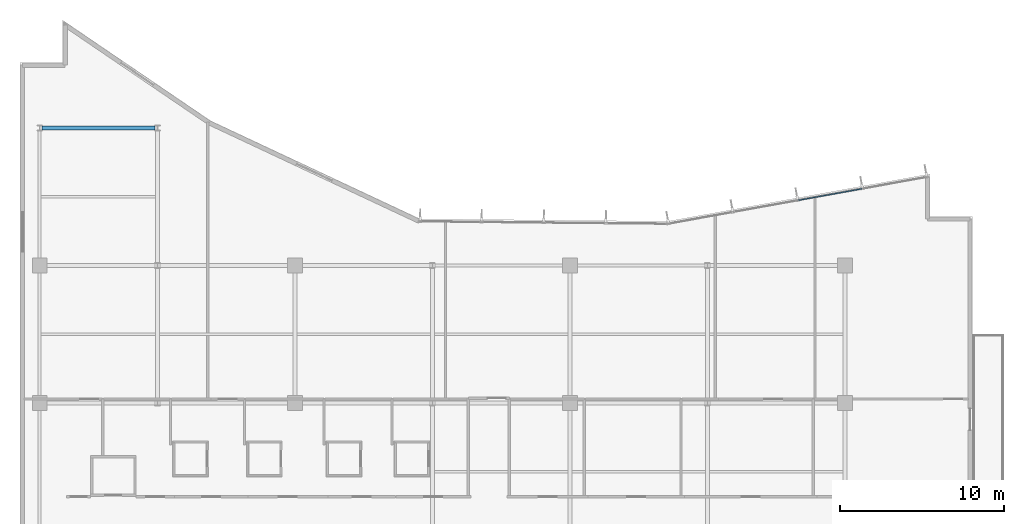
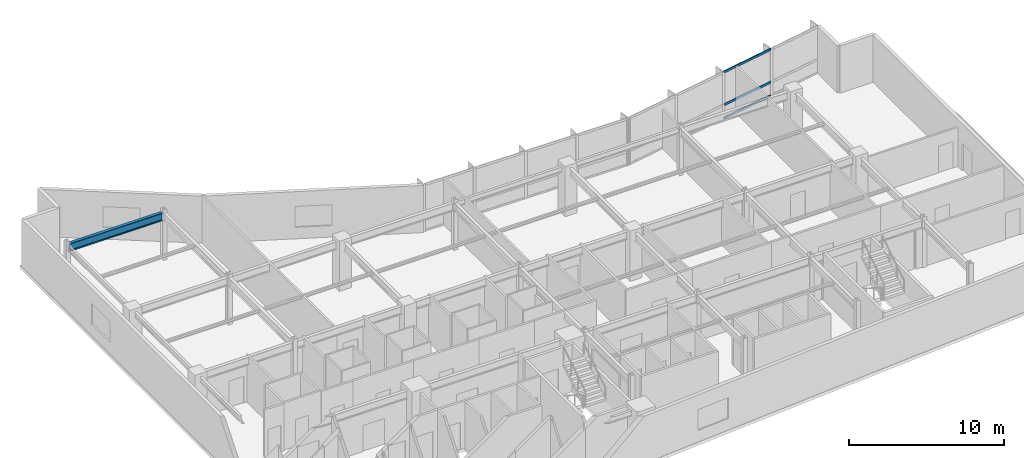
# One storey, part 7 of 18: 3 members, 1 beam, 1 element without a shape of its own.
"""IFC4 building model written with IfcOpenShell, lengths in metres."""

import ifcopenshell
import ifcopenshell.guid

model = None  # the IFC model being written
_history = None  # IfcOwnerHistory: only IFC2X3 demands one
_inside = {}  # id of a spatial element -> (the spatial element, [elements in it])
_under = {}  # id of a project, library or spatial element -> (it, [spatial elements below it])
_declared = {}  # id of a project -> (the project, [libraries it declares])
_typed = {}  # id of a type object -> (the type object, [elements of that type])
_made_of = {}  # id of a material, layer set ... -> (it, [elements and type objects made of it])


def new_model(schema):
    """Start an empty IFC model of exactly this schema.

    Asked for "IFC4X3", IfcOpenShell would pick the latest addendum, in which some entities
    have other attributes; the version numbers below select the first issue.
    IFC2X3 requires an IfcOwnerHistory on every rooted entity: one is made here for all.
    """
    global model, _history
    if schema == "IFC4X3":
        model = ifcopenshell.file(schema_version=(4, 3, 0, 0))
    else:
        model = ifcopenshell.file(schema=schema)
    _inside.clear()
    _under.clear()
    _declared.clear()
    _typed.clear()
    _made_of.clear()
    _history = None
    if model.schema == "IFC2X3":
        org = make("IfcOrganization", Name="unknown")
        user = make(
            "IfcPersonAndOrganization",
            ThePerson=make("IfcPerson", FamilyName="unknown"),
            TheOrganization=org,
        )
        app = make(
            "IfcApplication",
            ApplicationDeveloper=org,
            Version="unknown",
            ApplicationFullName="unknown",
            ApplicationIdentifier="unknown",
        )
        _history = make(
            "IfcOwnerHistory",
            OwningUser=user,
            OwningApplication=app,
            ChangeAction="ADDED",
            CreationDate=0,
        )
    return model


def make(cls, **values):
    """One entity of the class cls with the attributes given. An attribute that is None is left unset."""
    return model.create_entity(
        cls, **{name: value for name, value in values.items() if value is not None}
    )


def rooted(cls, **values):
    """An entity with a GlobalId (a new one), such as an element, a storey or a relation."""
    return make(cls, GlobalId=ifcopenshell.guid.new(), OwnerHistory=_history, **values)


def si_unit(unit_type, name, prefix=None):
    """IfcSIUnit, for example si_unit("LENGTHUNIT", "METRE", prefix="MILLI")."""
    return make("IfcSIUnit", UnitType=unit_type, Prefix=prefix, Name=name)


def assignment(units):
    """IfcUnitAssignment: the units of a project."""
    return None if units is None else make("IfcUnitAssignment", Units=units)


def point(xyz):
    """IfcCartesianPoint."""
    return None if xyz is None else make("IfcCartesianPoint", Coordinates=xyz)


def direction(xyz):
    """IfcDirection."""
    return None if xyz is None else make("IfcDirection", DirectionRatios=xyz)


def frame(location, z_axis=None, x_axis=None):
    """IfcAxis2Placement3D, a coordinate frame: its origin and axes. An axis left out is left unset."""
    return make(
        "IfcAxis2Placement3D",
        Location=point(location),
        Axis=direction(z_axis),
        RefDirection=direction(x_axis),
    )


def frame_2d(location, x_axis=None):
    """IfcAxis2Placement2D, a coordinate frame in the plane: its origin and x axis."""
    return make(
        "IfcAxis2Placement2D", Location=point(location), RefDirection=direction(x_axis)
    )


def origin():
    """The frame at (0, 0, 0) with its axes left unset."""
    return frame((0.0, 0.0, 0.0))


def origin_2d():
    """The frame at (0, 0) in the plane with its x axis left unset."""
    return frame_2d((0.0, 0.0))


def place(relative_to, where):
    """IfcLocalPlacement: puts the frame where relative to a parent placement (None: the world)."""
    return make(
        "IfcLocalPlacement", PlacementRelTo=relative_to, RelativePlacement=where
    )


def context(
    kind, dimensions, precision=None, world=None, true_north=None, identifier=None
):
    """IfcGeometricRepresentationContext, for example the 3D "Model" context."""
    return make(
        "IfcGeometricRepresentationContext",
        ContextIdentifier=identifier,
        ContextType=kind,
        CoordinateSpaceDimension=dimensions,
        Precision=precision,
        WorldCoordinateSystem=world,
        TrueNorth=true_north,
    )


def subcontext(parent, identifier, kind, view, scale=None):
    """IfcGeometricRepresentationSubContext, for example "Body" below "Model"."""
    return make(
        "IfcGeometricRepresentationSubContext",
        ContextIdentifier=identifier,
        ContextType=kind,
        ParentContext=parent,
        TargetScale=scale,
        TargetView=view,
    )


def project(units=None, contexts=None):
    """IfcProject with its units and contexts."""
    return rooted(
        "IfcProject",
        Name="project",
        RepresentationContexts=contexts,
        UnitsInContext=assignment(units),
    )


def spatial(cls, under=None, at=None, **own):
    """A site, building, storey or space (cls), placed at a placement, below another one or the project."""
    s = rooted(cls, ObjectPlacement=at, **own)
    if under is not None:
        _under.setdefault(under.id(), (under, []))[1].append(s)
    return s


def profile(cls, at=None, kind="AREA", **sizes):
    """A parametric profile (cls). Its sizes go by their IFC names, for example OverallWidth=200.0."""
    return make(cls, ProfileType=kind, Position=at, **sizes)


def hollow_rectangle(**sizes):
    """IfcRectangleHollowProfileDef."""
    return profile("IfcRectangleHollowProfileDef", **sizes)


def i_section(**sizes):
    """IfcIShapeProfileDef."""
    return profile("IfcIShapeProfileDef", **sizes)


def extrude(swept, where, along, depth):
    """IfcExtrudedAreaSolid: the profile swept, set in the frame where, extruded along a direction by depth."""
    return make(
        "IfcExtrudedAreaSolid",
        SweptArea=swept,
        Position=where,
        ExtrudedDirection=direction(along),
        Depth=depth,
    )


def shape(context_of_items, identifier, shape_type, items):
    """IfcShapeRepresentation: the items that make up one representation, for example the "Body"."""
    return make(
        "IfcShapeRepresentation",
        ContextOfItems=context_of_items,
        RepresentationIdentifier=identifier,
        RepresentationType=shape_type,
        Items=items,
    )


def material(Name=None, Category=None):
    """IfcMaterial."""
    return make("IfcMaterial", Name=Name, Category=Category)


def layer(
    of_material, thickness, ventilated=None, Name=None, Category=None, Priority=None
):
    """IfcMaterialLayer: one layer of a wall or slab, of a material (None: an air gap)."""
    return make(
        "IfcMaterialLayer",
        Material=of_material,
        LayerThickness=thickness,
        IsVentilated=ventilated,
        Name=Name,
        Category=Category,
        Priority=Priority,
    )


def layer_set(layers, Name=None):
    """IfcMaterialLayerSet."""
    return make("IfcMaterialLayerSet", MaterialLayers=layers, LayerSetName=Name)


def material_profile(
    of_material, cross_section, Name=None, Category=None, Priority=None
):
    """IfcMaterialProfile: a cross section and its material."""
    return make(
        "IfcMaterialProfile",
        Name=Name,
        Material=of_material,
        Profile=cross_section,
        Priority=Priority,
        Category=Category,
    )


def profile_set(profiles, Name=None, composite=None):
    """IfcMaterialProfileSet."""
    return make(
        "IfcMaterialProfileSet",
        Name=Name,
        MaterialProfiles=profiles,
        CompositeProfile=composite,
    )


def made_of(thing, what):
    """Note that an element or type object is made of a material, layer set ...; save() writes the relation."""
    if what is not None:
        _made_of.setdefault(what.id(), (what, []))[1].append(thing)
    return thing


def type_object(cls, material=None, **own):
    """A type object (cls), such as IfcWallType, which elements share."""
    return made_of(rooted(cls, **own), material)


def element(
    cls,
    number,
    at=None,
    inside=None,
    cuts=None,
    type_object=None,
    material=None,
    context=None,
    identifier="Body",
    shape_type=None,
    held_by="IfcProductDefinitionShape",
    body=None,
    shapes=None,
    **own,
):
    """One element of the class cls, such as IfcWall. Its Tag is "e" and its number.

    at: its placement. inside: the storey or other place that contains it. cuts: it is an
    opening in that element (IfcRelVoidsElement). A single representation is given by context,
    identifier, shape_type and body (its items); several are given by shapes. held_by: the class
    of the entity that holds the representations. save() writes the other relations.
    """
    e = rooted(cls, Tag="e%d" % number, ObjectPlacement=at, **own)
    if body is not None:
        shapes = [shape(context, identifier, shape_type, body)]
    if shapes is not None:
        e.Representation = make(held_by, Representations=shapes)
    if inside is not None:
        _inside.setdefault(inside.id(), (inside, []))[1].append(e)
    if cuts is not None:
        rooted(
            "IfcRelVoidsElement", RelatingBuildingElement=cuts, RelatedOpeningElement=e
        )
    if type_object is not None:
        _typed.setdefault(type_object.id(), (type_object, []))[1].append(e)
    return made_of(e, material)


def aggregate(whole, parts):
    """IfcRelAggregates: a whole, such as a stair, and the parts it consists of."""
    return rooted("IfcRelAggregates", RelatingObject=whole, RelatedObjects=parts)


def save(model, path):
    """Write the relations noted so far, then the file.

    IfcRelAggregates (storeys below a building ...), IfcRelContainedInSpatialStructure (elements
    in a storey), IfcRelDefinesByType, IfcRelAssociatesMaterial and IfcRelDeclares: one each for
    every whole, place, type object, material and project.
    """
    for whole, parts in _under.values():
        aggregate(whole, parts)
    for where, things in _inside.values():
        rooted(
            "IfcRelContainedInSpatialStructure",
            RelatedElements=things,
            RelatingStructure=where,
        )
    for kind, things in _typed.values():
        rooted("IfcRelDefinesByType", RelatedObjects=things, RelatingType=kind)
    for what, things in _made_of.values():
        rooted("IfcRelAssociatesMaterial", RelatedObjects=things, RelatingMaterial=what)
    for by, libraries in _declared.values():
        rooted("IfcRelDeclares", RelatingContext=by, RelatedDefinitions=libraries)
    model.write(path)


model = new_model("IFC4")

# Units and contexts
model_context = context("Model", 3, precision=1e-05, world=origin(), true_north=direction((0.0, 1.0)))
body_context = subcontext(model_context, "Body", "Model", "MODEL_VIEW")
ifc_project = project(units=[si_unit("LENGTHUNIT", "METRE"), si_unit("AREAUNIT", "SQUARE_METRE"), si_unit("VOLUMEUNIT", "CUBIC_METRE"), si_unit("PLANEANGLEUNIT", "RADIAN"), si_unit("MASSUNIT", "GRAM", prefix="KILO")], contexts=[model_context])

# Site, building, storey
site_placement = place(None, origin())
site = spatial("IfcSite", under=ifc_project, at=site_placement, CompositionType="ELEMENT")
building_placement = place(site_placement, origin())
building = spatial("IfcBuilding", under=site, at=building_placement, Name="Varnakote Quay Hospital", CompositionType="ELEMENT")
storey_placement = place(building_placement, frame((0.0, 0.0, 73.85009765625)))
storey = spatial("IfcBuildingStorey", under=building, at=storey_placement, Name="L18", CompositionType="ELEMENT", Elevation=73.85009765625)

# Beam
ifc_material_1 = material(Name="Structural steel AS/NZS 3679.1 Grade 350 L0 (fy 340 MPa)", Category="steel")
ifc_material_profile_1 = material_profile(ifc_material_1, i_section(OverallWidth=0.22900390625, OverallDepth=0.612060546875, WebThickness=0.011962890625, FlangeThickness=0.01953125, FilletRadius=0.013916015625, at=origin_2d()), Name="610UB125")
ifc_profile_set_1 = profile_set([ifc_material_profile_1], Name="Structural steel AS/NZS 3679.1 Grade 350 L0 (fy 340 MPa)")
beam_type = type_object("IfcBeamType", Name="BM-STL-610UB125", PredefinedType="BEAM", material=ifc_profile_set_1)
beam_placement = place(storey_placement, frame((1.35546875, 37.199951171875, 3.40380859375), z_axis=(1.0, 0.0, 0.0), x_axis=(0.0, 1.0, 0.0)))
element("IfcBeam", 1, at=beam_placement, inside=storey, type_object=beam_type, Name="L18 Primary Floor Beam", PredefinedType="BEAM", context=body_context, shape_type="SweptSolid", body=[
    extrude(i_section(OverallWidth=0.22900390625, OverallDepth=0.612060546875, WebThickness=0.011962890625, FlangeThickness=0.01953125, FilletRadius=0.013916015625, at=origin_2d()), origin(), (0.0, 0.0, 1.0), 6.888916015625),
])

# Curtain wall, members
ifc_material_2 = material(Name="Anodised aluminium 6063-T6 Bronze", Category="aluminium")
ifc_layer = layer(ifc_material_2, 0.18994140625)
ifc_layer_set = layer_set([ifc_layer], Name="Anodised aluminium 6063-T6 Bronze")
curtain_wall_type = type_object("IfcCurtainWallType", Name="CW-SYS-2", PredefinedType="NOTDEFINED", material=ifc_layer_set)
curtain_wall_placement = place(storey_placement, origin())
curtain_wall = element("IfcCurtainWall", 2, at=curtain_wall_placement, inside=storey, type_object=curtain_wall_type, Name="L18 Unitised Bronze Curtain Wall 1", PredefinedType="NOTDEFINED")
ifc_material_3 = material(Name="Anodised aluminium 6063-T6 Bronze", Category="aluminium")
ifc_material_profile_2 = material_profile(ifc_material_3, hollow_rectangle(XDim=0.074951171875, YDim=0.179931640625, WallThickness=0.004150390625, InnerFilletRadius=0.004150390625, OuterFilletRadius=0.00830078125, at=origin_2d()), Name="CW-TRAN-180x75")
ifc_profile_set_2 = profile_set([ifc_material_profile_2], Name="Anodised aluminium 6063-T6 Bronze")
member_type = type_object("IfcMemberType", Name="CW-TRAN-180x75", PredefinedType="USERDEFINED", material=ifc_profile_set_2)
member_1_placement = place(storey_placement, frame((51.4404296875, 33.485595703125, 0.037353515625), z_axis=(-0.984065046829, -0.177808840079, 0.0), x_axis=(0.177808840079, -0.984065046829, 0.0)))
member_1 = element("IfcMember", 3, at=member_1_placement, type_object=member_type, Name="-2-L18-1 transom 2.1", ObjectType="TRANSOM", PredefinedType="USERDEFINED", context=body_context, shape_type="SweptSolid", body=[
    extrude(hollow_rectangle(XDim=0.074951171875, YDim=0.179931640625, WallThickness=0.004150390625, InnerFilletRadius=0.004150390625, OuterFilletRadius=0.00830078125, at=origin_2d()), origin(), (0.0, 0.0, 1.0), 3.95166015625),
])
member_2_placement = place(storey_placement, frame((51.4404296875, 33.485595703125, 1.099853515625), z_axis=(-0.984065046829, -0.177808840079, 0.0), x_axis=(0.177808840079, -0.984065046829, 0.0)))
member_2 = element("IfcMember", 4, at=member_2_placement, type_object=member_type, Name="-2-L18-1 transom 2.2", ObjectType="TRANSOM", PredefinedType="USERDEFINED", context=body_context, shape_type="SweptSolid", body=[
    extrude(hollow_rectangle(XDim=0.074951171875, YDim=0.179931640625, WallThickness=0.004150390625, InnerFilletRadius=0.004150390625, OuterFilletRadius=0.00830078125, at=origin_2d()), origin(), (0.0, 0.0, 1.0), 3.95166015625),
])
member_3_placement = place(storey_placement, frame((51.4404296875, 33.485595703125, 3.67236328125), z_axis=(-0.984065046829, -0.177808840079, 0.0), x_axis=(0.177808840079, -0.984065046829, 0.0)))
member_3 = element("IfcMember", 5, at=member_3_placement, type_object=member_type, Name="-2-L18-1 transom 2.3", ObjectType="TRANSOM", PredefinedType="USERDEFINED", context=body_context, shape_type="SweptSolid", body=[
    extrude(hollow_rectangle(XDim=0.074951171875, YDim=0.179931640625, WallThickness=0.004150390625, InnerFilletRadius=0.004150390625, OuterFilletRadius=0.00830078125, at=origin_2d()), origin(), (0.0, 0.0, 1.0), 3.95166015625),
])
aggregate(curtain_wall, [member_1, member_2, member_3])

save(model, "model.ifc")
